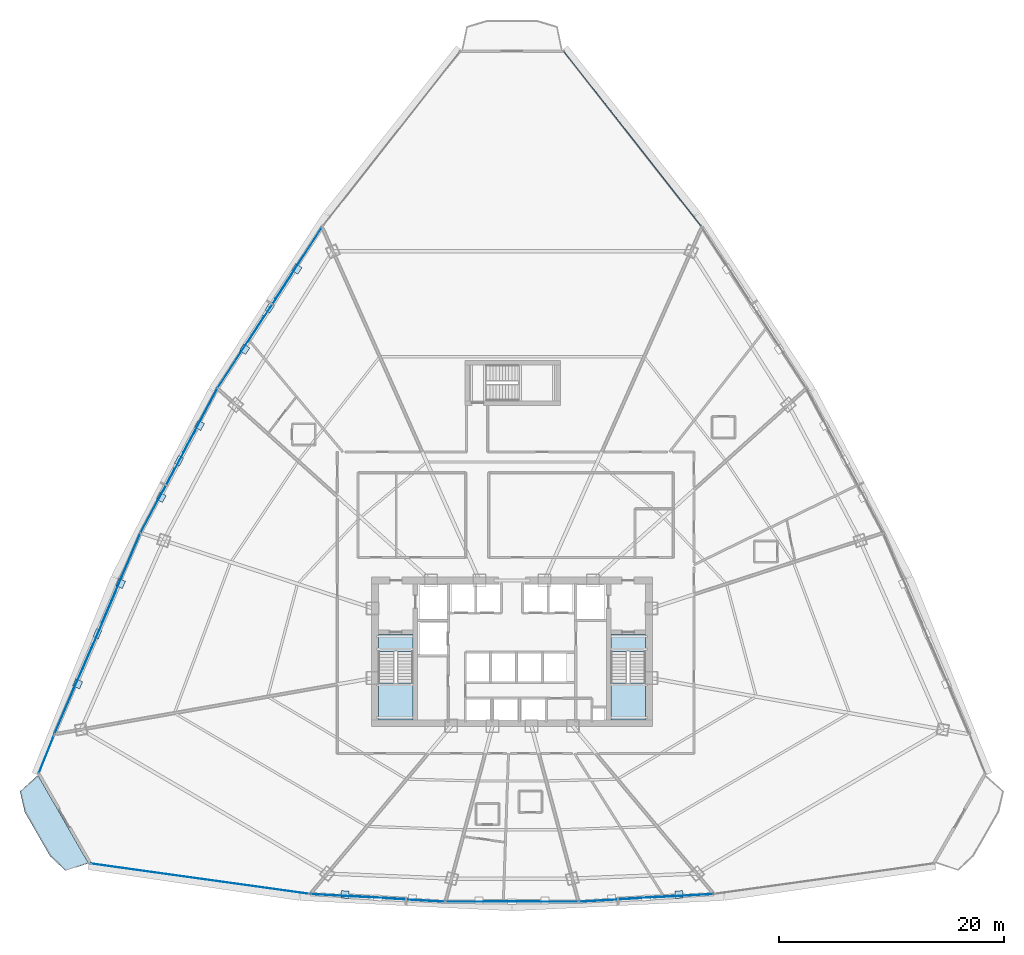
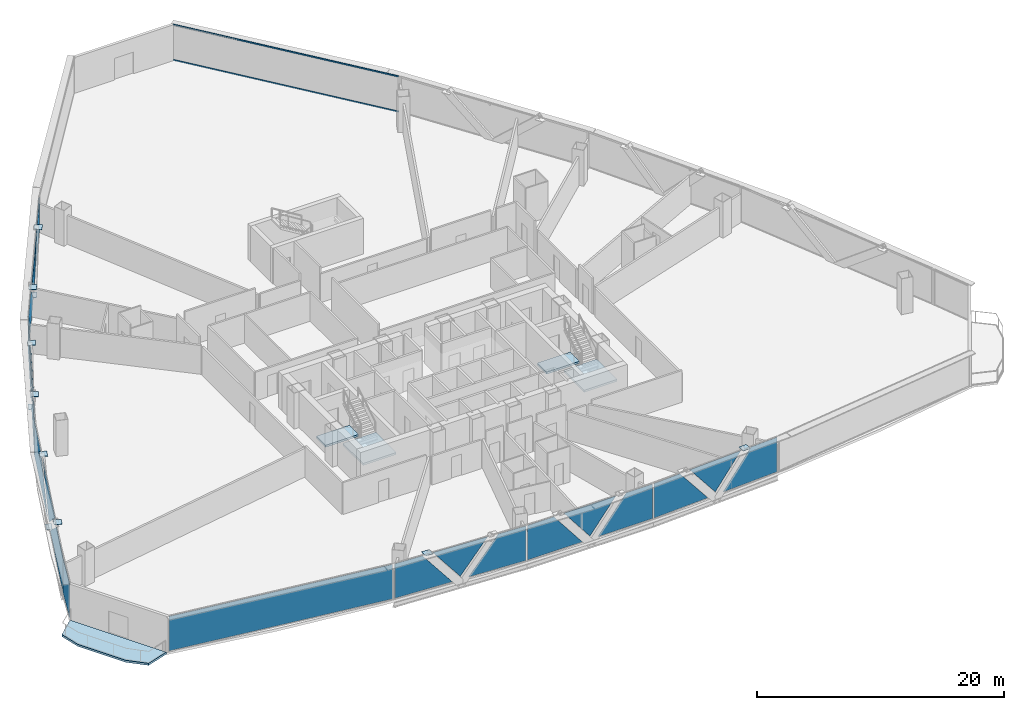
# One storey, part 27 of 37: 31 plates, 5 slabs, 2 members, 11 elements without a shape of their own.
"""IFC4 building model written with IfcOpenShell, lengths in metres."""

from ifc_helpers import new_model, si_unit, direction, frame, origin, origin_2d, place, context, subcontext, project, spatial, polyline, rectangle, hollow_rectangle, outline, extrude, source, transform, mapped, material, layer, layer_set, material_profile, profile_set, type_object, element, aggregate, save


model = new_model("IFC4")

# Units and contexts
model_context = context("Model", 3, precision=1e-05, world=origin(), true_north=direction((0.0, 1.0)))
body_context = subcontext(model_context, "Body", "Model", "MODEL_VIEW")
ifc_project = project(units=[si_unit("LENGTHUNIT", "METRE"), si_unit("AREAUNIT", "SQUARE_METRE"), si_unit("VOLUMEUNIT", "CUBIC_METRE"), si_unit("PLANEANGLEUNIT", "RADIAN"), si_unit("MASSUNIT", "GRAM", prefix="KILO"), si_unit("THERMODYNAMICTEMPERATUREUNIT", "KELVIN"), si_unit("POWERUNIT", "WATT")], contexts=[model_context])

# Site, building, storey
site_placement = place(None, origin())
site = spatial("IfcSite", under=ifc_project, at=site_placement, CompositionType="ELEMENT")
building_placement = place(site_placement, origin())
building = spatial("IfcBuilding", under=site, at=building_placement, Name="Yunzhuo Pagoda Commons", CompositionType="ELEMENT")
storey_placement = place(building_placement, frame((0.0, 0.0, 88.780029296875)))
storey = spatial("IfcBuildingStorey", under=building, at=storey_placement, Name="L22", CompositionType="ELEMENT", Elevation=88.780029296875)

# Curtain wall, members
ifc_material_1 = material(Name="Anodized aluminium 6063-T6", Category="aluminium")
ifc_layer_1 = layer(ifc_material_1, 0.1650390625)
ifc_layer_set_1 = layer_set([ifc_layer_1], Name="Anodized aluminium 6063-T6")
curtain_wall_type = type_object("IfcCurtainWallType", Name="CW-LOW Low-Zone Ribbon Curtain Wall", PredefinedType="NOTDEFINED", material=ifc_layer_set_1)
curtain_wall_1_placement = place(storey_placement, origin())
curtain_wall_1 = element("IfcCurtainWall", 1, at=curtain_wall_1_placement, inside=storey, type_object=curtain_wall_type, Name="L22 curtain wall CW-L22-F2B5", PredefinedType="NOTDEFINED")
ifc_material_profile = material_profile(ifc_material_1, hollow_rectangle(XDim=0.06005859375, YDim=0.139892578125, WallThickness=0.00341796875, at=origin_2d()), Name="Anodized aluminium 6063-T6")
ifc_profile_set = profile_set([ifc_material_profile], Name="Anodized aluminium 6063-T6")
member_type = type_object("IfcMemberType", Name="CW-LOW-T Transom RHS 140x60x3.5", PredefinedType="USERDEFINED", material=ifc_profile_set)
shared_shape_1 = source(origin(), body_context, "Body", "SweptSolid", [
    extrude(hollow_rectangle(XDim=0.06005859375, YDim=0.139892578125, WallThickness=0.00341796875, at=origin_2d()), origin(), (0.0, 0.0, 1.0), 19.706298828125),
])
member_1_placement = place(storey_placement, frame((64.8173828125, 71.777099609375, 0.030029296875), z_axis=(-0.61806117369, 0.786130005519, 0.0), x_axis=(-0.786130005519, -0.61806117369, 0.0)))
member_1 = element("IfcMember", 2, at=member_1_placement, type_object=member_type, Name="CW transom 1.1", ObjectType="TRANSOM", PredefinedType="USERDEFINED", context=body_context, shape_type="MappedRepresentation", body=[
    mapped(shared_shape_1, transform((0.0, 0.0, 0.0), scale=1.0)),
])
member_2_placement = place(storey_placement, frame((64.8173828125, 71.777099609375, 3.510009765625), z_axis=(-0.61806117369, 0.786130005519, 0.0), x_axis=(-0.786130005519, -0.61806117369, 0.0)))
member_2 = element("IfcMember", 3, at=member_2_placement, type_object=member_type, Name="CW transom 1.2", ObjectType="TRANSOM", PredefinedType="USERDEFINED", context=body_context, shape_type="MappedRepresentation", body=[
    mapped(shared_shape_1, transform((0.0, 0.0, 0.0), scale=1.0)),
])
aggregate(curtain_wall_1, [member_1, member_2])

# Curtain wall, plates
curtain_wall_2_placement = place(storey_placement, origin())
curtain_wall_2 = element("IfcCurtainWall", 4, at=curtain_wall_2_placement, inside=storey, type_object=curtain_wall_type, Name="L22 curtain wall CW-L22-F1B2", PredefinedType="NOTDEFINED")
ifc_material_2 = material(Name="Tempered low-e double glazing", Category="glass")
ifc_layer_2 = layer(ifc_material_2, 0.028076171875)
ifc_layer_set_2 = layer_set([ifc_layer_2], Name="Tempered low-e double glazing")
plate_type_1 = type_object("IfcPlateType", Name="CW-LOW-P Low-E Double Glazing 28", PredefinedType="CURTAIN_PANEL", material=ifc_layer_set_2)
plate_1_placement = place(storey_placement, frame((32.71240234375, 12.15380859375, 1.77001953125), z_axis=(-0.057418382325, -0.998350203772, 0.0), x_axis=(0.998350203772, -0.057418382325, 0.0)))
plate_1 = element("IfcPlate", 5, at=plate_1_placement, type_object=plate_type_1, Name="CW panel 1.1 lite 1", PredefinedType="CURTAIN_PANEL", context=body_context, shape_type="SweptSolid", body=[
    extrude(outline(polyline([(-2.61328125, -1.7099609375), (2.61328125, -1.7099609375), (-0.100341796875, 1.7099609375), (-2.61328125, 1.7099609375), (-2.61328125, -1.7099609375)])), origin(), (0.0, 0.0, 1.0), 0.028076171875),
])
plate_2_placement = place(storey_placement, frame((36.060791015625, 11.9912109375, 1.915771484375), z_axis=(-0.057418382325, -0.998350203772, 0.0), x_axis=(0.998350203772, -0.057418382325, 0.0)))
plate_2 = element("IfcPlate", 6, at=plate_2_placement, type_object=plate_type_1, Name="CW panel 1.1 lite 2", PredefinedType="CURTAIN_PANEL", context=body_context, shape_type="SweptSolid", body=[
    extrude(outline(polyline([(-2.482421875, 1.564208984375), (0.0, -1.564208984375), (2.482421875, 1.564208984375), (-2.482421875, 1.564208984375)])), origin(), (0.0, 0.0, 1.0), 0.028076171875),
])
plate_3_placement = place(storey_placement, frame((39.405517578125, 11.768798828125, 1.77001953125), z_axis=(-0.057418382325, -0.998350203772, 0.0), x_axis=(0.998350203772, -0.057418382325, 0.0)))
plate_3 = element("IfcPlate", 7, at=plate_3_placement, type_object=plate_type_1, Name="CW panel 1.1 lite 3", PredefinedType="CURTAIN_PANEL", context=body_context, shape_type="SweptSolid", body=[
    extrude(outline(polyline([(-2.61328125, -1.7099609375), (2.61328125, -1.7099609375), (2.61328125, 1.7099609375), (0.100341796875, 1.7099609375), (-2.61328125, -1.7099609375)])), origin(), (0.0, 0.0, 1.0), 0.028076171875),
])
aggregate(curtain_wall_2, [plate_1, plate_2, plate_3])

curtain_wall_3_placement = place(storey_placement, origin())
curtain_wall_3 = element("IfcCurtainWall", 8, at=curtain_wall_3_placement, inside=storey, type_object=curtain_wall_type, Name="L22 curtain wall CW-L22-F1B3", PredefinedType="NOTDEFINED")
plate_4_placement = place(storey_placement, frame((44.706298828125, 11.615234375, 1.77001953125), z_axis=(0.0, -1.0, 0.0), x_axis=(1.0, 0.0, 0.0)))
plate_4 = element("IfcPlate", 9, at=plate_4_placement, type_object=plate_type_1, Name="CW panel 1.1 lite 1", PredefinedType="CURTAIN_PANEL", context=body_context, shape_type="SweptSolid", body=[
    extrude(outline(polyline([(-2.562744140625, -1.7099609375), (2.562744140625, -1.7099609375), (-0.10205078125, 1.7099609375), (-2.562744140625, 1.7099609375), (-2.562744140625, -1.7099609375)])), origin(), (0.0, 0.0, 1.0), 0.028076171875),
])
plate_5_placement = place(storey_placement, frame((48.0, 11.64501953125, 1.919189453125), z_axis=(0.0, -1.0, 0.0), x_axis=(1.0, 0.0, 0.0)))
plate_5 = element("IfcPlate", 10, at=plate_5_placement, type_object=plate_type_1, Name="CW panel 1.1 lite 2", PredefinedType="CURTAIN_PANEL", context=body_context, shape_type="SweptSolid", body=[
    extrude(outline(polyline([(-2.43212890625, 1.560791015625), (0.0, -1.560791015625), (2.43212890625, 1.560791015625), (-2.43212890625, 1.560791015625)])), origin(), (0.0, 0.0, 1.0), 0.028076171875),
])
plate_6_placement = place(storey_placement, frame((51.293701171875, 11.615234375, 1.77001953125), z_axis=(0.0, -1.0, 0.0), x_axis=(1.0, 0.0, 0.0)))
plate_6 = element("IfcPlate", 11, at=plate_6_placement, type_object=plate_type_1, Name="CW panel 1.1 lite 3", PredefinedType="CURTAIN_PANEL", context=body_context, shape_type="SweptSolid", body=[
    extrude(outline(polyline([(-2.562744140625, -1.7099609375), (2.562744140625, -1.7099609375), (2.562744140625, 1.7099609375), (0.10205078125, 1.7099609375), (-2.562744140625, -1.7099609375)])), origin(), (0.0, 0.0, 1.0), 0.028076171875),
])
aggregate(curtain_wall_3, [plate_4, plate_5, plate_6])

curtain_wall_4_placement = place(storey_placement, origin())
curtain_wall_4 = element("IfcCurtainWall", 12, at=curtain_wall_4_placement, inside=storey, type_object=curtain_wall_type, Name="L22 curtain wall CW-L22-F1B4", PredefinedType="NOTDEFINED")
plate_7_placement = place(storey_placement, frame((56.594482421875, 11.768798828125, 1.77001953125), z_axis=(0.057418382325, -0.998350203772, 0.0), x_axis=(0.998350203772, 0.057418382325, 0.0)))
plate_7 = element("IfcPlate", 13, at=plate_7_placement, type_object=plate_type_1, Name="CW panel 1.1 lite 1", PredefinedType="CURTAIN_PANEL", context=body_context, shape_type="SweptSolid", body=[
    extrude(outline(polyline([(-2.61328125, -1.7099609375), (2.61328125, -1.7099609375), (-0.100341796875, 1.7099609375), (-2.61328125, 1.7099609375), (-2.61328125, -1.7099609375)])), origin(), (0.0, 0.0, 1.0), 0.028076171875),
])
plate_8_placement = place(storey_placement, frame((59.939208984375, 11.9912109375, 1.915771484375), z_axis=(0.057418382325, -0.998350203772, 0.0), x_axis=(0.998350203772, 0.057418382325, 0.0)))
plate_8 = element("IfcPlate", 14, at=plate_8_placement, type_object=plate_type_1, Name="CW panel 1.1 lite 2", PredefinedType="CURTAIN_PANEL", context=body_context, shape_type="SweptSolid", body=[
    extrude(outline(polyline([(-2.482421875, 1.564208984375), (0.0, -1.564208984375), (2.482421875, 1.564208984375), (-2.482421875, 1.564208984375)])), origin(), (0.0, 0.0, 1.0), 0.028076171875),
])
plate_9_placement = place(storey_placement, frame((63.28759765625, 12.15380859375, 1.77001953125), z_axis=(0.057418382325, -0.998350203772, 0.0), x_axis=(0.998350203772, 0.057418382325, 0.0)))
plate_9 = element("IfcPlate", 15, at=plate_9_placement, type_object=plate_type_1, Name="CW panel 1.1 lite 3", PredefinedType="CURTAIN_PANEL", context=body_context, shape_type="SweptSolid", body=[
    extrude(outline(polyline([(-2.61328125, -1.7099609375), (2.61328125, -1.7099609375), (2.61328125, 1.7099609375), (0.100341796875, 1.7099609375), (-2.61328125, -1.7099609375)])), origin(), (0.0, 0.0, 1.0), 0.028076171875),
])
aggregate(curtain_wall_4, [plate_7, plate_8, plate_9])

curtain_wall_5_placement = place(storey_placement, origin())
curtain_wall_5 = element("IfcCurtainWall", 16, at=curtain_wall_5_placement, inside=storey, type_object=curtain_wall_type, Name="L22 curtain wall CW-L22-F3B2", PredefinedType="NOTDEFINED")
plate_10_placement = place(storey_placement, frame((29.014892578125, 68.433837890625, 1.77001953125), z_axis=(-0.838906636672, 0.544275348466, 0.0), x_axis=(-0.544275348466, -0.838906636672, 0.0)))
plate_10 = element("IfcPlate", 17, at=plate_10_placement, type_object=plate_type_1, Name="CW panel 1.1 lite 1", PredefinedType="CURTAIN_PANEL", context=body_context, shape_type="SweptSolid", body=[
    extrude(outline(polyline([(-3.7802734375, -1.7099609375), (3.7802734375, -1.7099609375), (-0.07080078125, 1.7099609375), (-3.7802734375, 1.7099609375), (-3.7802734375, -1.7099609375)])), origin(), (0.0, 0.0, 1.0), 0.028076171875),
])
plate_11_placement = place(storey_placement, frame((26.47509765625, 64.4638671875, 1.864013671875), z_axis=(-0.838906636672, 0.544275348466, 0.0), x_axis=(-0.544275348466, -0.838906636672, 0.0)))
plate_11 = element("IfcPlate", 18, at=plate_11_placement, type_object=plate_type_1, Name="CW panel 1.1 lite 2", PredefinedType="CURTAIN_PANEL", context=body_context, shape_type="SweptSolid", body=[
    extrude(outline(polyline([(-3.63916015625, 1.615966796875), (0.0, -1.615966796875), (3.63916015625, 1.615966796875), (-3.63916015625, 1.615966796875)])), origin(), (0.0, 0.0, 1.0), 0.028076171875),
])
plate_12_placement = place(storey_placement, frame((23.884765625, 60.526611328125, 1.77001953125), z_axis=(-0.838906636672, 0.544275348466, 0.0), x_axis=(-0.544275348466, -0.838906636672, 0.0)))
plate_12 = element("IfcPlate", 19, at=plate_12_placement, type_object=plate_type_1, Name="CW panel 1.1 lite 3", PredefinedType="CURTAIN_PANEL", context=body_context, shape_type="SweptSolid", body=[
    extrude(outline(polyline([(-3.7802734375, -1.7099609375), (3.7802734375, -1.7099609375), (3.7802734375, 1.7099609375), (0.07080078125, 1.7099609375), (-3.7802734375, -1.7099609375)])), origin(), (0.0, 0.0, 1.0), 0.028076171875),
])
aggregate(curtain_wall_5, [plate_10, plate_11, plate_12])

curtain_wall_6_placement = place(storey_placement, origin())
curtain_wall_6 = element("IfcCurtainWall", 20, at=curtain_wall_6_placement, inside=storey, type_object=curtain_wall_type, Name="L22 curtain wall CW-L22-F3B3", PredefinedType="NOTDEFINED")
plate_13_placement = place(storey_placement, frame((20.26171875, 54.4248046875, 1.77001953125), z_axis=(-0.8828050059, 0.469739631666, 0.0), x_axis=(-0.469739631666, -0.8828050059, 0.0)))
plate_13 = element("IfcPlate", 21, at=plate_13_placement, type_object=plate_type_1, Name="CW panel 1.1 lite 1", PredefinedType="CURTAIN_PANEL", context=body_context, shape_type="SweptSolid", body=[
    extrude(outline(polyline([(-3.194091796875, -1.7099609375), (3.194091796875, -1.7099609375), (-0.084716796875, 1.7099609375), (-3.194091796875, 1.7099609375), (-3.194091796875, -1.7099609375)])), origin(), (0.0, 0.0, 1.0), 0.028076171875),
])
plate_14_placement = place(storey_placement, frame((18.396484375, 50.855224609375, 1.884521484375), z_axis=(-0.8828050059, 0.469739631666, 0.0), x_axis=(-0.469739631666, -0.8828050059, 0.0)))
plate_14 = element("IfcPlate", 22, at=plate_14_placement, type_object=plate_type_1, Name="CW panel 1.1 lite 2", PredefinedType="CURTAIN_PANEL", context=body_context, shape_type="SweptSolid", body=[
    extrude(outline(polyline([(-3.059326171875, 1.595458984375), (0.0, -1.595458984375), (3.059326171875, 1.595458984375), (-3.059326171875, 1.595458984375)])), origin(), (0.0, 0.0, 1.0), 0.028076171875),
])
plate_15_placement = place(storey_placement, frame((16.478271484375, 47.31396484375, 1.77001953125), z_axis=(-0.8828050059, 0.469739631666, 0.0), x_axis=(-0.469739631666, -0.8828050059, 0.0)))
plate_15 = element("IfcPlate", 23, at=plate_15_placement, type_object=plate_type_1, Name="CW panel 1.1 lite 3", PredefinedType="CURTAIN_PANEL", context=body_context, shape_type="SweptSolid", body=[
    extrude(outline(polyline([(-3.194091796875, -1.7099609375), (3.194091796875, -1.7099609375), (3.194091796875, 1.7099609375), (0.084716796875, 1.7099609375), (-3.194091796875, -1.7099609375)])), origin(), (0.0, 0.0, 1.0), 0.028076171875),
])
aggregate(curtain_wall_6, [plate_13, plate_14, plate_15])

curtain_wall_7_placement = place(storey_placement, origin())
curtain_wall_7 = element("IfcCurtainWall", 24, at=curtain_wall_7_placement, inside=storey, type_object=curtain_wall_type, Name="L22 curtain wall CW-L22-F3B4", PredefinedType="NOTDEFINED")
plate_16_placement = place(storey_placement, frame((13.218017578125, 40.39892578125, 1.77001953125), z_axis=(-0.919250024103, 0.39367422215, 0.0), x_axis=(-0.39367422215, -0.919250024103, 0.0)))
plate_16 = element("IfcPlate", 25, at=plate_16_placement, type_object=plate_type_1, Name="CW panel 1.1 lite 1", PredefinedType="CURTAIN_PANEL", context=body_context, shape_type="SweptSolid", body=[
    extrude(outline(polyline([(-4.32861328125, -1.7099609375), (4.328857421875, -1.7099609375), (-0.059326171875, 1.7099609375), (-4.32861328125, 1.7099609375), (-4.32861328125, -1.7099609375)])), origin(), (0.0, 0.0, 1.0), 0.028076171875),
])
plate_17_placement = place(storey_placement, frame((11.136474609375, 35.46240234375, 1.850830078125), z_axis=(-0.919250024103, 0.39367422215, 0.0), x_axis=(-0.39367422215, -0.919250024103, 0.0)))
plate_17 = element("IfcPlate", 26, at=plate_17_placement, type_object=plate_type_1, Name="CW panel 1.1 lite 2", PredefinedType="CURTAIN_PANEL", context=body_context, shape_type="SweptSolid", body=[
    extrude(outline(polyline([(-4.180419921875, 1.629150390625), (0.0, -1.629150390625), (4.180419921875, 1.629150390625), (-4.180419921875, 1.629150390625)])), origin(), (0.0, 0.0, 1.0), 0.028076171875),
])
plate_18_placement = place(storey_placement, frame((8.999755859375, 30.54931640625, 1.77001953125), z_axis=(-0.919250024103, 0.39367422215, 0.0), x_axis=(-0.39367422215, -0.919250024103, 0.0)))
plate_18 = element("IfcPlate", 27, at=plate_18_placement, type_object=plate_type_1, Name="CW panel 1.1 lite 3", PredefinedType="CURTAIN_PANEL", context=body_context, shape_type="SweptSolid", body=[
    extrude(outline(polyline([(-4.328857421875, -1.7099609375), (4.32861328125, -1.7099609375), (4.32861328125, 1.7099609375), (0.059326171875, 1.7099609375), (-4.328857421875, -1.7099609375)])), origin(), (0.0, 0.0, 1.0), 0.028076171875),
])
aggregate(curtain_wall_7, [plate_16, plate_17, plate_18])

# Slab
ifc_material_3 = material(Name="Concrete C40", Category="concrete")
ifc_layer_3 = layer(ifc_material_3, 0.199951171875)
ifc_layer_set_3 = layer_set([ifc_layer_3], Name="Concrete C40")
slab_type_1 = type_object("IfcSlabType", Name="SL-BAL Vertex Balcony Deck Slab 200", PredefinedType="FLOOR", material=ifc_layer_set_3)
slab_1_placement = place(storey_placement, frame((0.0, 0.0, -0.199951171875)))
element("IfcSlab", 28, at=slab_1_placement, inside=storey, type_object=slab_type_1, Name="L22 corner balcony V1", PredefinedType="FLOOR", context=body_context, shape_type="SweptSolid", body=[
    extrude(outline(polyline([(5.7958984375, 22.867919921875), (10.29833984375, 15.026123046875), (8.257568359375, 14.373291015625), (6.87890625, 15.669677734375), (4.627685546875, 19.590576171875), (4.202880859375, 21.4345703125), (5.7958984375, 22.867919921875)])), origin(), (0.0, 0.0, 1.0), 0.199951171875),
])

# Stair, slabs
stair_type_1 = type_object("IfcStairType", Name="ST-C1 Core Smokeproof Stair ST1", PredefinedType="HALF_TURN_STAIR", material=ifc_material_3)
stair_1_placement = place(storey_placement, origin())
stair_1 = element("IfcStair", 29, at=stair_1_placement, inside=storey, type_object=stair_type_1, Name="L22 Core smokeproof stair ST1", PredefinedType="HALF_TURN_STAIR")
ifc_layer_4 = layer(ifc_material_3, 0.199951171875)
ifc_layer_set_4 = layer_set([ifc_layer_4], Name="Concrete C40")
slab_type_2 = type_object("IfcSlabType", Name="SL-LND1 Stair Landing Slab 200", PredefinedType="LANDING", material=ifc_layer_set_4)
slab_2_placement = place(storey_placement, frame((0.0, 0.0, 1.699951171875)))
slab_2 = element("IfcSlab", 30, at=slab_2_placement, type_object=slab_type_2, Name="ST1 landing 1", PredefinedType="LANDING", context=body_context, shape_type="SweptSolid", body=[
    extrude(outline(polyline([(36.10009765625, 31.10009765625), (36.10009765625, 27.800048828125), (39.199951171875, 27.800048828125), (39.199951171875, 31.10009765625), (36.10009765625, 31.10009765625)])), origin(), (0.0, 0.0, 1.0), 0.199951171875),
])
slab_3_placement = place(storey_placement, frame((0.0, 0.0, -0.199951171875)))
slab_3 = element("IfcSlab", 31, at=slab_3_placement, type_object=slab_type_2, Name="ST1 floor landing L22", PredefinedType="LANDING", context=body_context, shape_type="SweptSolid", body=[
    extrude(outline(polyline([(36.10009765625, 35.39990234375), (36.10009765625, 33.89990234375), (39.199951171875, 33.89990234375), (39.199951171875, 35.39990234375), (36.10009765625, 35.39990234375)])), origin(), (0.0, 0.0, 1.0), 0.199951171875),
])
aggregate(stair_1, [slab_2, slab_3])

stair_type_2 = type_object("IfcStairType", Name="ST-C2 Core Smokeproof Stair ST2", PredefinedType="HALF_TURN_STAIR", material=ifc_material_3)
stair_2_placement = place(storey_placement, origin())
stair_2 = element("IfcStair", 32, at=stair_2_placement, inside=storey, type_object=stair_type_2, Name="L22 Core smokeproof stair ST2", PredefinedType="HALF_TURN_STAIR")
ifc_layer_5 = layer(ifc_material_3, 0.201904296875)
ifc_layer_set_5 = layer_set([ifc_layer_5], Name="Concrete C40")
slab_type_3 = type_object("IfcSlabType", Name="SL-LND2 Stair Landing Slab 202", PredefinedType="LANDING", material=ifc_layer_set_5)
slab_4_placement = place(storey_placement, frame((0.0, 0.0, 1.699951171875)))
slab_4 = element("IfcSlab", 33, at=slab_4_placement, type_object=slab_type_3, Name="ST2 landing 1", PredefinedType="LANDING", context=body_context, shape_type="SweptSolid", body=[
    extrude(outline(polyline([(56.800048828125, 31.10009765625), (56.800048828125, 27.800048828125), (59.89990234375, 27.800048828125), (59.89990234375, 31.10009765625), (56.800048828125, 31.10009765625)])), origin(), (0.0, 0.0, 1.0), 0.199951171875),
])
slab_5_placement = place(storey_placement, frame((0.0, 0.0, -0.199951171875)))
slab_5 = element("IfcSlab", 34, at=slab_5_placement, type_object=slab_type_3, Name="ST2 floor landing L22", PredefinedType="LANDING", context=body_context, shape_type="SweptSolid", body=[
    extrude(outline(polyline([(56.800048828125, 35.39990234375), (56.800048828125, 33.89990234375), (59.89990234375, 33.89990234375), (59.89990234375, 35.39990234375), (56.800048828125, 35.39990234375)])), origin(), (0.0, 0.0, 1.0), 0.199951171875),
])
aggregate(stair_2, [slab_4, slab_5])

# Plates
ifc_material_4 = material(Name="Structural steel Q355B", Category="steel")
ifc_layer_6 = layer(ifc_material_4, 0.028076171875)
ifc_layer_set_6 = layer_set([ifc_layer_6], Name="Structural steel Q355B")
plate_type_2 = type_object("IfcPlateType", Name="SP-ND1 Lattice Node Cap Plate 800x500x28", PredefinedType="USERDEFINED", material=ifc_layer_set_6)
shared_shape_2 = source(origin(), body_context, "Body", "SweptSolid", [
    extrude(rectangle(XDim=0.800048828125, YDim=0.5, at=origin_2d()), origin(), (0.0, 0.0, 1.0), 0.028076171875),
])
for number, where, z_axis, x_axis, name in (
    (35, (26.43798828125, 64.48779296875, -0.27392578125), (0.0, 0.0, 1.0), (-0.544273044112, -0.838908131712, 0.0), "L22 diamond node plate F3.1A"),
    (36, (18.357421875, 50.8759765625, -0.27392578125), (0.0, 0.0, 1.0), (-0.469733517942, -0.882808258979, 0.0), "L22 diamond node plate F3.2A"),
    (37, (11.095947265625, 35.479736328125, -0.27392578125), (0.0, 0.0, 1.0), (-0.39366917931, -0.919252183713, 0.0), "L22 diamond node plate F3.3A"),
):
    element("IfcPlate", number, at=place(storey_placement, frame(where, z_axis=z_axis, x_axis=x_axis)), inside=storey, type_object=plate_type_2, Name=name, ObjectType="STIFFENER_PLATE", PredefinedType="USERDEFINED", context=body_context, shape_type="MappedRepresentation", body=[
        mapped(shared_shape_2, transform((0.0, 0.0, 0.0), scale=1.0)),
    ])
shared_shape_3 = source(origin(), body_context, "Body", "SweptSolid", [
    extrude(rectangle(XDim=0.699951171875, YDim=0.672119140625, at=origin_2d()), origin(), (0.0, 0.0, 1.0), 0.035888671875),
])
plate_19_placement = place(storey_placement, frame((9.33740234375, 31.00927734375, 3.501953125), z_axis=(0.0, 0.0, 1.0), x_axis=(-0.39366917931, -0.919252183713, 0.0)))
element("IfcPlate", 38, at=plate_19_placement, inside=storey, type_object=plate_type_2, Name="L22 setback lattice tie plate F3.3R", ObjectType="STIFFENER_PLATE", PredefinedType="USERDEFINED", context=body_context, shape_type="MappedRepresentation", body=[
    mapped(shared_shape_3, transform((0.0, 0.0, 0.0), scale=1.0)),
])
shared_shape_4 = source(origin(), body_context, "Body", "SweptSolid", [
    extrude(rectangle(XDim=0.699951171875, YDim=0.640625, at=origin_2d()), origin(), (0.0, 0.0, 1.0), 0.035888671875),
])
plate_20_placement = place(storey_placement, frame((13.15869140625, 39.936279296875, 3.501953125), z_axis=(0.0, 0.0, 1.0), x_axis=(-0.39366917931, -0.919252183713, 0.0)))
element("IfcPlate", 39, at=plate_20_placement, inside=storey, type_object=plate_type_2, Name="L22 setback lattice tie plate F3.3L", ObjectType="STIFFENER_PLATE", PredefinedType="USERDEFINED", context=body_context, shape_type="MappedRepresentation", body=[
    mapped(shared_shape_4, transform((0.0, 0.0, 0.0), scale=1.0)),
])
shared_shape_5 = source(origin(), body_context, "Body", "SweptSolid", [
    extrude(rectangle(XDim=0.699951171875, YDim=0.627685546875, at=origin_2d()), origin(), (0.0, 0.0, 1.0), 0.035888671875),
])
plate_21_placement = place(storey_placement, frame((16.773193359375, 47.603515625, 3.501953125), z_axis=(0.0, 0.0, 1.0), x_axis=(-0.469733517942, -0.882808258979, 0.0)))
element("IfcPlate", 40, at=plate_21_placement, inside=storey, type_object=plate_type_2, Name="L22 setback lattice tie plate F3.2R", ObjectType="STIFFENER_PLATE", PredefinedType="USERDEFINED", context=body_context, shape_type="MappedRepresentation", body=[
    mapped(shared_shape_5, transform((0.0, 0.0, 0.0), scale=1.0)),
])
shared_shape_6 = source(origin(), body_context, "Body", "SweptSolid", [
    extrude(rectangle(XDim=0.699951171875, YDim=0.627197265625, at=origin_2d()), origin(), (0.0, 0.0, 1.0), 0.035888671875),
])
plate_22_placement = place(storey_placement, frame((20.180908203125, 54.0107421875, 3.501953125), z_axis=(0.0, 0.0, 1.0), x_axis=(-0.469733517942, -0.882808258979, 0.0)))
element("IfcPlate", 41, at=plate_22_placement, inside=storey, type_object=plate_type_2, Name="L22 setback lattice tie plate F3.2L", ObjectType="STIFFENER_PLATE", PredefinedType="USERDEFINED", context=body_context, shape_type="MappedRepresentation", body=[
    mapped(shared_shape_6, transform((0.0, 0.0, 0.0), scale=1.0)),
])
shared_shape_7 = source(origin(), body_context, "Body", "SweptSolid", [
    extrude(rectangle(XDim=0.699951171875, YDim=0.63818359375, at=origin_2d()), origin(), (0.0, 0.0, 1.0), 0.035888671875),
])
plate_23_placement = place(storey_placement, frame((24.204345703125, 60.789794921875, 3.501953125), z_axis=(0.0, 0.0, 1.0), x_axis=(-0.544273044112, -0.838908131712, 0.0)))
element("IfcPlate", 42, at=plate_23_placement, inside=storey, type_object=plate_type_2, Name="L22 setback lattice tie plate F3.1R", ObjectType="STIFFENER_PLATE", PredefinedType="USERDEFINED", context=body_context, shape_type="MappedRepresentation", body=[
    mapped(shared_shape_7, transform((0.0, 0.0, 0.0), scale=1.0)),
])
shared_shape_8 = source(origin(), body_context, "Body", "SweptSolid", [
    extrude(rectangle(XDim=0.699951171875, YDim=0.662353515625, at=origin_2d()), origin(), (0.0, 0.0, 1.0), 0.035888671875),
])
plate_24_placement = place(storey_placement, frame((28.843505859375, 67.941162109375, 3.501953125), z_axis=(0.0, 0.0, 1.0), x_axis=(-0.544273044112, -0.838908131712, 0.0)))
element("IfcPlate", 43, at=plate_24_placement, inside=storey, type_object=plate_type_2, Name="L22 setback lattice tie plate F3.1L", ObjectType="STIFFENER_PLATE", PredefinedType="USERDEFINED", context=body_context, shape_type="MappedRepresentation", body=[
    mapped(shared_shape_8, transform((0.0, 0.0, 0.0), scale=1.0)),
])
shared_shape_9 = source(origin(), body_context, "Body", "SweptSolid", [
    extrude(rectangle(XDim=0.699951171875, YDim=0.6611328125, at=origin_2d()), origin(), (0.0, 0.0, 1.0), 0.035888671875),
])
for number, where, z_axis, x_axis, name in (
    (44, (33.13671875, 12.248291015625, 3.501953125), (0.0, 0.0, 1.0), (0.998349844337, -0.057424631585, 0.0), "L22 setback lattice tie plate F1.1L"),
    (45, (62.86328125, 12.248291015625, 3.501953125), (0.0, 0.0, 1.0), (0.998349844337, 0.057424631585, 0.0), "L22 setback lattice tie plate F1.3R"),
):
    element("IfcPlate", number, at=place(storey_placement, frame(where, z_axis=z_axis, x_axis=x_axis)), inside=storey, type_object=plate_type_2, Name=name, ObjectType="STIFFENER_PLATE", PredefinedType="USERDEFINED", context=body_context, shape_type="MappedRepresentation", body=[
        mapped(shared_shape_9, transform((0.0, 0.0, 0.0), scale=1.0)),
    ])

# Curtain wall, plate
curtain_wall_8_placement = place(storey_placement, origin())
curtain_wall_8 = element("IfcCurtainWall", 46, at=curtain_wall_8_placement, inside=storey, type_object=curtain_wall_type, Name="L22 curtain wall CW-L22-F1B1", PredefinedType="NOTDEFINED")
shared_shape_10 = source(origin(), body_context, "Body", "SweptSolid", [
    extrude(rectangle(XDim=19.557861328125, YDim=0.028076171875, at=origin_2d()), origin(), (0.0, 0.0, 1.0), 3.419921875),
])
plate_25_placement = place(storey_placement, frame((20.213134765625, 13.657470703125, 0.06005859375), z_axis=(0.0, 0.0, 1.0), x_axis=(0.990502363677, -0.137495700118, 0.0)))
plate_25 = element("IfcPlate", 47, at=plate_25_placement, type_object=plate_type_1, Name="CW panel 1.1", PredefinedType="CURTAIN_PANEL", context=body_context, shape_type="MappedRepresentation", body=[
    mapped(shared_shape_10, transform((0.0, 0.0, 0.0), scale=1.0)),
])
aggregate(curtain_wall_8, [plate_25])

curtain_wall_9_placement = place(storey_placement, origin())
curtain_wall_9 = element("IfcCurtainWall", 48, at=curtain_wall_9_placement, inside=storey, type_object=curtain_wall_type, Name="L22 curtain wall CW-L22-F3B5", PredefinedType="NOTDEFINED")
shared_shape_11 = source(origin(), body_context, "Body", "SweptSolid", [
    extrude(rectangle(XDim=3.56005859375, YDim=0.028076171875, at=origin_2d()), origin(), (0.0, 0.0, 1.0), 3.419921875),
])
plate_26_placement = place(storey_placement, frame((6.547607421875, 24.73193359375, 0.06005859375), z_axis=(0.0, 0.0, 1.0), x_axis=(-0.369651850711, -0.929170333828, 0.0)))
plate_26 = element("IfcPlate", 49, at=plate_26_placement, type_object=plate_type_1, Name="CW panel 1.1", PredefinedType="CURTAIN_PANEL", context=body_context, shape_type="MappedRepresentation", body=[
    mapped(shared_shape_11, transform((0.0, 0.0, 0.0), scale=1.0)),
])
aggregate(curtain_wall_9, [plate_26])

save(model, "model.ifc")
